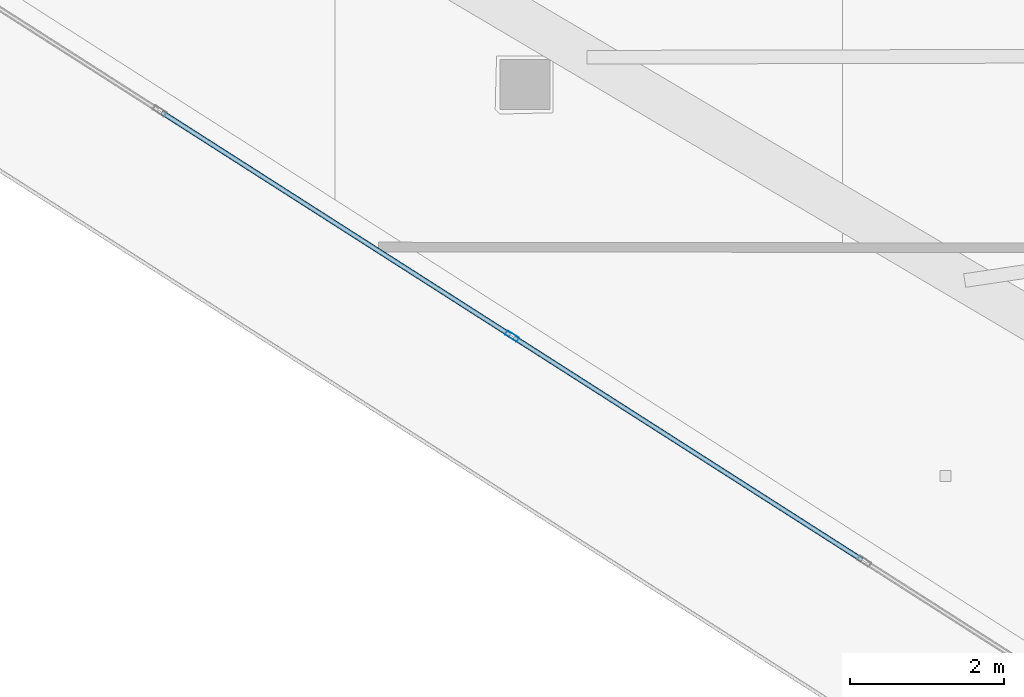
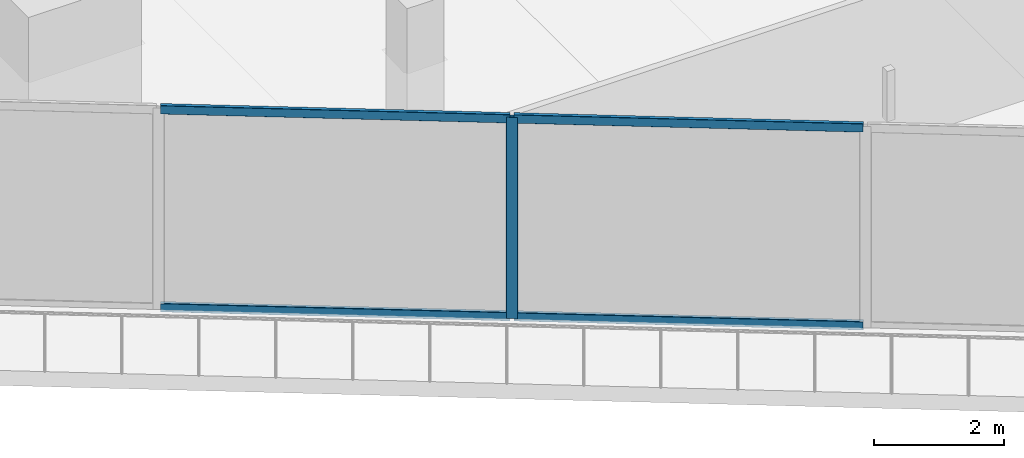
# One storey, part 3 of 42: 5 members, 1 element without a shape of its own.
"""IFC4 building model written with IfcOpenShell, lengths in metres."""

from ifc_helpers import new_model, si_unit, direction, frame, origin, origin_2d, place, context, subcontext, project, spatial, hollow_rectangle, extrude, material, layer, layer_set, material_profile, profile_set, type_object, element, aggregate, save


model = new_model("IFC4")

# Units and contexts
model_context = context("Model", 3, precision=1e-05, world=origin(), true_north=direction((0.0, 1.0)))
body_context = subcontext(model_context, "Body", "Model", "MODEL_VIEW")
ifc_project = project(units=[si_unit("LENGTHUNIT", "METRE"), si_unit("AREAUNIT", "SQUARE_METRE"), si_unit("VOLUMEUNIT", "CUBIC_METRE"), si_unit("PLANEANGLEUNIT", "RADIAN"), si_unit("MASSUNIT", "GRAM", prefix="KILO")], contexts=[model_context])

# Site, building, storey
site_placement = place(None, origin())
site = spatial("IfcSite", under=ifc_project, at=site_placement, CompositionType="ELEMENT")
building_placement = place(site_placement, origin())
building = spatial("IfcBuilding", under=site, at=building_placement, Name="Qorvath Tower", CompositionType="ELEMENT")
storey_placement = place(building_placement, frame((0.0, 0.0, 117.89990234375)))
storey = spatial("IfcBuildingStorey", under=building, at=storey_placement, Name="L26", CompositionType="ELEMENT", Elevation=117.89990234375)

# Curtain wall, members
ifc_material_1 = material(Name="Anodised aluminium and triple low-E glass", Category="aluminium")
ifc_layer = layer(ifc_material_1, 0.179931640625)
ifc_layer_set = layer_set([ifc_layer], Name="CW-SYS-2")
curtain_wall_type = type_object("IfcCurtainWallType", Name="CW-SYS-2", PredefinedType="NOTDEFINED", material=ifc_layer_set)
curtain_wall_placement = place(storey_placement, origin())
curtain_wall = element("IfcCurtainWall", 1, at=curtain_wall_placement, inside=storey, type_object=curtain_wall_type, Name="Curtain Wall CW-2 CW-T-L26-2.1", PredefinedType="NOTDEFINED")
ifc_material_2 = material(Name="Anodised aluminium 6063-T6", Category="aluminium")
ifc_material_profile_1 = material_profile(ifc_material_2, hollow_rectangle(XDim=0.06494140625, YDim=0.179931640625, WallThickness=0.00341796875, InnerFilletRadius=0.00341796875, OuterFilletRadius=0.007080078125, at=origin_2d()), Name="CWM 180x65")
ifc_profile_set_1 = profile_set([ifc_material_profile_1], Name="Anodised aluminium 6063-T6")
member_type_1 = type_object("IfcMemberType", Name="CWM-180", PredefinedType="MULLION", material=ifc_profile_set_1)
member_1_placement = place(storey_placement, frame((-48.7451171875, -9.69287109375, 0.0), z_axis=(0.0, 0.0, 1.0), x_axis=(0.538534177075, 0.842603667285, 0.0)))
member_1 = element("IfcMember", 2, at=member_1_placement, type_object=member_type_1, Name="CW-2 mullion 3", PredefinedType="MULLION", context=body_context, shape_type="SweptSolid", body=[
    extrude(hollow_rectangle(XDim=0.06494140625, YDim=0.179931640625, WallThickness=0.00341796875, InnerFilletRadius=0.00341796875, OuterFilletRadius=0.007080078125, at=origin_2d()), origin(), (0.0, 0.0, 1.0), 3.77001953125),
])
ifc_material_3 = material(Name="Anodised aluminium 6063-T6", Category="aluminium")
ifc_material_profile_2 = material_profile(ifc_material_3, hollow_rectangle(XDim=0.06494140625, YDim=0.159912109375, WallThickness=0.00341796875, InnerFilletRadius=0.00341796875, OuterFilletRadius=0.007080078125, at=origin_2d()), Name="CWT 160x65")
ifc_profile_set_2 = profile_set([ifc_material_profile_2], Name="Anodised aluminium 6063-T6")
member_type_2 = type_object("IfcMemberType", Name="CWT-160", PredefinedType="USERDEFINED", material=ifc_profile_set_2)
member_2_placement = place(storey_placement, frame((-53.289794921875, -6.788330078125, 0.032470703125), z_axis=(0.842621067422, -0.538506951428, 0.0), x_axis=(0.538506951428, 0.842621067422, 0.0)))
member_2 = element("IfcMember", 3, at=member_2_placement, type_object=member_type_2, Name="CW-2 transom 2.1", ObjectType="TRANSOM", PredefinedType="USERDEFINED", context=body_context, shape_type="SweptSolid", body=[
    extrude(hollow_rectangle(XDim=0.06494140625, YDim=0.159912109375, WallThickness=0.00341796875, InnerFilletRadius=0.00341796875, OuterFilletRadius=0.007080078125, at=origin_2d()), origin(), (0.0, 0.0, 1.0), 5.361083984375),
])
member_3_placement = place(storey_placement, frame((-53.289794921875, -6.788330078125, 3.737548828125), z_axis=(0.842621067422, -0.538506951428, 0.0), x_axis=(0.538506951428, 0.842621067422, 0.0)))
member_3 = element("IfcMember", 4, at=member_3_placement, type_object=member_type_2, Name="CW-2 transom 2.2", ObjectType="TRANSOM", PredefinedType="USERDEFINED", context=body_context, shape_type="SweptSolid", body=[
    extrude(hollow_rectangle(XDim=0.06494140625, YDim=0.159912109375, WallThickness=0.00341796875, InnerFilletRadius=0.00341796875, OuterFilletRadius=0.007080078125, at=origin_2d()), origin(), (0.0, 0.0, 1.0), 5.361083984375),
])
member_4_placement = place(storey_placement, frame((-48.7177734375, -9.71044921875, 0.032470703125), z_axis=(0.842621067422, -0.538506951428, 0.0), x_axis=(0.538506951428, 0.842621067422, 0.0)))
member_4 = element("IfcMember", 5, at=member_4_placement, type_object=member_type_2, Name="CW-2 transom 3.1", ObjectType="TRANSOM", PredefinedType="USERDEFINED", context=body_context, shape_type="SweptSolid", body=[
    extrude(hollow_rectangle(XDim=0.06494140625, YDim=0.159912109375, WallThickness=0.00341796875, InnerFilletRadius=0.00341796875, OuterFilletRadius=0.007080078125, at=origin_2d()), origin(), (0.0, 0.0, 1.0), 5.361083984375),
])
member_5_placement = place(storey_placement, frame((-48.7177734375, -9.71044921875, 3.737548828125), z_axis=(0.842621067422, -0.538506951428, 0.0), x_axis=(0.538506951428, 0.842621067422, 0.0)))
member_5 = element("IfcMember", 6, at=member_5_placement, type_object=member_type_2, Name="CW-2 transom 3.2", ObjectType="TRANSOM", PredefinedType="USERDEFINED", context=body_context, shape_type="SweptSolid", body=[
    extrude(hollow_rectangle(XDim=0.06494140625, YDim=0.159912109375, WallThickness=0.00341796875, InnerFilletRadius=0.00341796875, OuterFilletRadius=0.007080078125, at=origin_2d()), origin(), (0.0, 0.0, 1.0), 5.361083984375),
])
aggregate(curtain_wall, [member_1, member_2, member_3, member_4, member_5])

save(model, "model.ifc")
